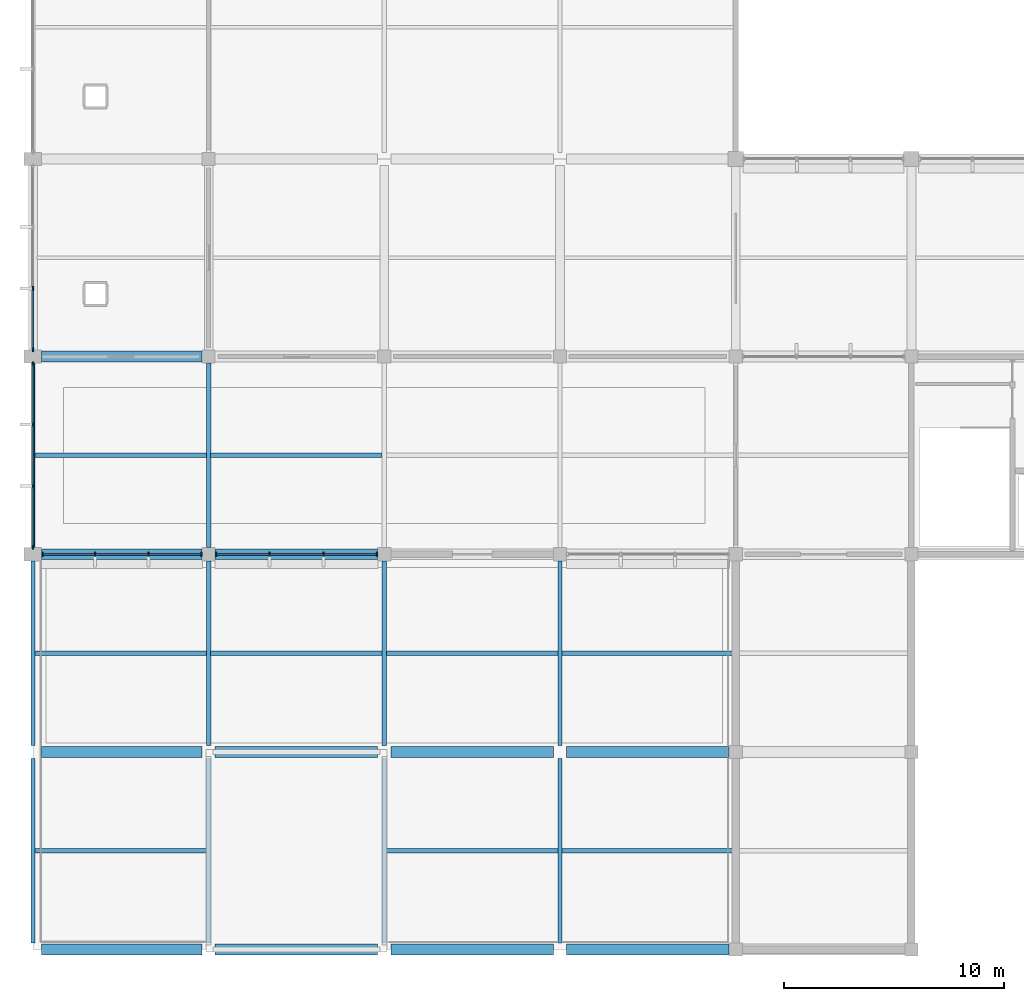
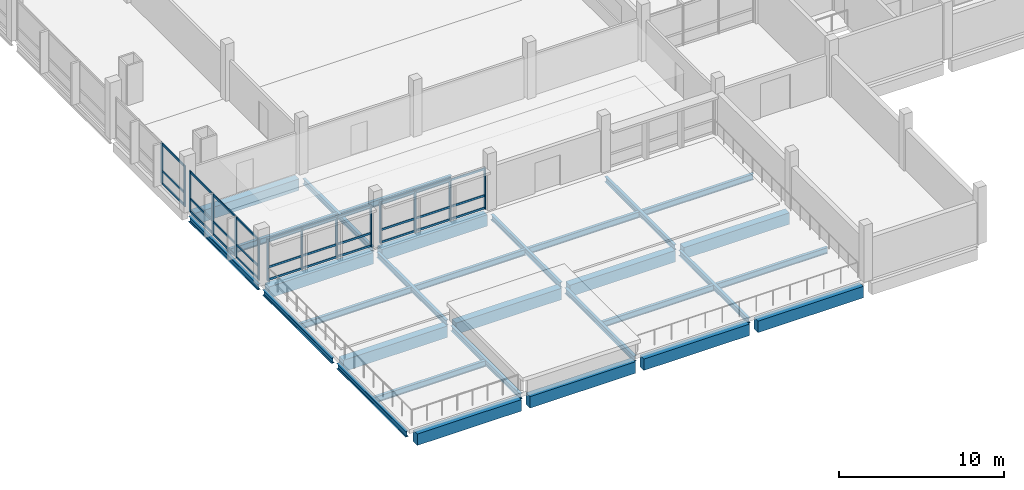
# One storey, part 3 of 70: 44 members, 30 beams, 4 elements without a shape of their own.
"""IFC4 building model written with IfcOpenShell, lengths in metres."""

import ifcopenshell
import ifcopenshell.guid

model = None  # the IFC model being written
_history = None  # IfcOwnerHistory: only IFC2X3 demands one
_inside = {}  # id of a spatial element -> (the spatial element, [elements in it])
_under = {}  # id of a project, library or spatial element -> (it, [spatial elements below it])
_declared = {}  # id of a project -> (the project, [libraries it declares])
_typed = {}  # id of a type object -> (the type object, [elements of that type])
_made_of = {}  # id of a material, layer set ... -> (it, [elements and type objects made of it])


def new_model(schema):
    """Start an empty IFC model of exactly this schema.

    Asked for "IFC4X3", IfcOpenShell would pick the latest addendum, in which some entities
    have other attributes; the version numbers below select the first issue.
    IFC2X3 requires an IfcOwnerHistory on every rooted entity: one is made here for all.
    """
    global model, _history
    if schema == "IFC4X3":
        model = ifcopenshell.file(schema_version=(4, 3, 0, 0))
    else:
        model = ifcopenshell.file(schema=schema)
    _inside.clear()
    _under.clear()
    _declared.clear()
    _typed.clear()
    _made_of.clear()
    _history = None
    if model.schema == "IFC2X3":
        org = make("IfcOrganization", Name="unknown")
        user = make(
            "IfcPersonAndOrganization",
            ThePerson=make("IfcPerson", FamilyName="unknown"),
            TheOrganization=org,
        )
        app = make(
            "IfcApplication",
            ApplicationDeveloper=org,
            Version="unknown",
            ApplicationFullName="unknown",
            ApplicationIdentifier="unknown",
        )
        _history = make(
            "IfcOwnerHistory",
            OwningUser=user,
            OwningApplication=app,
            ChangeAction="ADDED",
            CreationDate=0,
        )
    return model


def make(cls, **values):
    """One entity of the class cls with the attributes given. An attribute that is None is left unset."""
    return model.create_entity(
        cls, **{name: value for name, value in values.items() if value is not None}
    )


def rooted(cls, **values):
    """An entity with a GlobalId (a new one), such as an element, a storey or a relation."""
    return make(cls, GlobalId=ifcopenshell.guid.new(), OwnerHistory=_history, **values)


def si_unit(unit_type, name, prefix=None):
    """IfcSIUnit, for example si_unit("LENGTHUNIT", "METRE", prefix="MILLI")."""
    return make("IfcSIUnit", UnitType=unit_type, Prefix=prefix, Name=name)


def assignment(units):
    """IfcUnitAssignment: the units of a project."""
    return None if units is None else make("IfcUnitAssignment", Units=units)


def point(xyz):
    """IfcCartesianPoint."""
    return None if xyz is None else make("IfcCartesianPoint", Coordinates=xyz)


def direction(xyz):
    """IfcDirection."""
    return None if xyz is None else make("IfcDirection", DirectionRatios=xyz)


def frame(location, z_axis=None, x_axis=None):
    """IfcAxis2Placement3D, a coordinate frame: its origin and axes. An axis left out is left unset."""
    return make(
        "IfcAxis2Placement3D",
        Location=point(location),
        Axis=direction(z_axis),
        RefDirection=direction(x_axis),
    )


def frame_2d(location, x_axis=None):
    """IfcAxis2Placement2D, a coordinate frame in the plane: its origin and x axis."""
    return make(
        "IfcAxis2Placement2D", Location=point(location), RefDirection=direction(x_axis)
    )


def origin():
    """The frame at (0, 0, 0) with its axes left unset."""
    return frame((0.0, 0.0, 0.0))


def origin_2d():
    """The frame at (0, 0) in the plane with its x axis left unset."""
    return frame_2d((0.0, 0.0))


def place(relative_to, where):
    """IfcLocalPlacement: puts the frame where relative to a parent placement (None: the world)."""
    return make(
        "IfcLocalPlacement", PlacementRelTo=relative_to, RelativePlacement=where
    )


def context(
    kind, dimensions, precision=None, world=None, true_north=None, identifier=None
):
    """IfcGeometricRepresentationContext, for example the 3D "Model" context."""
    return make(
        "IfcGeometricRepresentationContext",
        ContextIdentifier=identifier,
        ContextType=kind,
        CoordinateSpaceDimension=dimensions,
        Precision=precision,
        WorldCoordinateSystem=world,
        TrueNorth=true_north,
    )


def subcontext(parent, identifier, kind, view, scale=None):
    """IfcGeometricRepresentationSubContext, for example "Body" below "Model"."""
    return make(
        "IfcGeometricRepresentationSubContext",
        ContextIdentifier=identifier,
        ContextType=kind,
        ParentContext=parent,
        TargetScale=scale,
        TargetView=view,
    )


def project(units=None, contexts=None):
    """IfcProject with its units and contexts."""
    return rooted(
        "IfcProject",
        Name="project",
        RepresentationContexts=contexts,
        UnitsInContext=assignment(units),
    )


def spatial(cls, under=None, at=None, **own):
    """A site, building, storey or space (cls), placed at a placement, below another one or the project."""
    s = rooted(cls, ObjectPlacement=at, **own)
    if under is not None:
        _under.setdefault(under.id(), (under, []))[1].append(s)
    return s


def profile(cls, at=None, kind="AREA", **sizes):
    """A parametric profile (cls). Its sizes go by their IFC names, for example OverallWidth=200.0."""
    return make(cls, ProfileType=kind, Position=at, **sizes)


def rectangle(**sizes):
    """IfcRectangleProfileDef."""
    return profile("IfcRectangleProfileDef", **sizes)


def i_section(**sizes):
    """IfcIShapeProfileDef."""
    return profile("IfcIShapeProfileDef", **sizes)


def extrude(swept, where, along, depth):
    """IfcExtrudedAreaSolid: the profile swept, set in the frame where, extruded along a direction by depth."""
    return make(
        "IfcExtrudedAreaSolid",
        SweptArea=swept,
        Position=where,
        ExtrudedDirection=direction(along),
        Depth=depth,
    )


def shape(context_of_items, identifier, shape_type, items):
    """IfcShapeRepresentation: the items that make up one representation, for example the "Body"."""
    return make(
        "IfcShapeRepresentation",
        ContextOfItems=context_of_items,
        RepresentationIdentifier=identifier,
        RepresentationType=shape_type,
        Items=items,
    )


def material(Name=None, Category=None):
    """IfcMaterial."""
    return make("IfcMaterial", Name=Name, Category=Category)


def material_profile(
    of_material, cross_section, Name=None, Category=None, Priority=None
):
    """IfcMaterialProfile: a cross section and its material."""
    return make(
        "IfcMaterialProfile",
        Name=Name,
        Material=of_material,
        Profile=cross_section,
        Priority=Priority,
        Category=Category,
    )


def profile_set(profiles, Name=None, composite=None):
    """IfcMaterialProfileSet."""
    return make(
        "IfcMaterialProfileSet",
        Name=Name,
        MaterialProfiles=profiles,
        CompositeProfile=composite,
    )


def made_of(thing, what):
    """Note that an element or type object is made of a material, layer set ...; save() writes the relation."""
    if what is not None:
        _made_of.setdefault(what.id(), (what, []))[1].append(thing)
    return thing


def type_object(cls, material=None, **own):
    """A type object (cls), such as IfcWallType, which elements share."""
    return made_of(rooted(cls, **own), material)


def element(
    cls,
    number,
    at=None,
    inside=None,
    cuts=None,
    type_object=None,
    material=None,
    context=None,
    identifier="Body",
    shape_type=None,
    held_by="IfcProductDefinitionShape",
    body=None,
    shapes=None,
    **own,
):
    """One element of the class cls, such as IfcWall. Its Tag is "e" and its number.

    at: its placement. inside: the storey or other place that contains it. cuts: it is an
    opening in that element (IfcRelVoidsElement). A single representation is given by context,
    identifier, shape_type and body (its items); several are given by shapes. held_by: the class
    of the entity that holds the representations. save() writes the other relations.
    """
    e = rooted(cls, Tag="e%d" % number, ObjectPlacement=at, **own)
    if body is not None:
        shapes = [shape(context, identifier, shape_type, body)]
    if shapes is not None:
        e.Representation = make(held_by, Representations=shapes)
    if inside is not None:
        _inside.setdefault(inside.id(), (inside, []))[1].append(e)
    if cuts is not None:
        rooted(
            "IfcRelVoidsElement", RelatingBuildingElement=cuts, RelatedOpeningElement=e
        )
    if type_object is not None:
        _typed.setdefault(type_object.id(), (type_object, []))[1].append(e)
    return made_of(e, material)


def aggregate(whole, parts):
    """IfcRelAggregates: a whole, such as a stair, and the parts it consists of."""
    return rooted("IfcRelAggregates", RelatingObject=whole, RelatedObjects=parts)


def save(model, path):
    """Write the relations noted so far, then the file.

    IfcRelAggregates (storeys below a building ...), IfcRelContainedInSpatialStructure (elements
    in a storey), IfcRelDefinesByType, IfcRelAssociatesMaterial and IfcRelDeclares: one each for
    every whole, place, type object, material and project.
    """
    for whole, parts in _under.values():
        aggregate(whole, parts)
    for where, things in _inside.values():
        rooted(
            "IfcRelContainedInSpatialStructure",
            RelatedElements=things,
            RelatingStructure=where,
        )
    for kind, things in _typed.values():
        rooted("IfcRelDefinesByType", RelatedObjects=things, RelatingType=kind)
    for what, things in _made_of.values():
        rooted("IfcRelAssociatesMaterial", RelatedObjects=things, RelatingMaterial=what)
    for by, libraries in _declared.values():
        rooted("IfcRelDeclares", RelatingContext=by, RelatedDefinitions=libraries)
    model.write(path)


model = new_model("IFC4")

# Units and contexts
model_context = context("Model", 3, precision=1e-05, world=origin(), true_north=direction((0.0, 1.0)))
body_context = subcontext(model_context, "Body", "Model", "MODEL_VIEW")
ifc_project = project(units=[si_unit("LENGTHUNIT", "METRE"), si_unit("AREAUNIT", "SQUARE_METRE"), si_unit("VOLUMEUNIT", "CUBIC_METRE"), si_unit("PLANEANGLEUNIT", "RADIAN"), si_unit("MASSUNIT", "GRAM", prefix="KILO"), si_unit("THERMODYNAMICTEMPERATUREUNIT", "KELVIN"), si_unit("POWERUNIT", "WATT")], contexts=[model_context])

# Site, building, storey
site_placement = place(None, origin())
site = spatial("IfcSite", under=ifc_project, at=site_placement, CompositionType="ELEMENT")
building_placement = place(site_placement, origin())
building = spatial("IfcBuilding", under=site, at=building_placement, Name="Kronsvod Quay Wholesale Market", CompositionType="ELEMENT")
storey_placement = place(building_placement, frame((0.0, 0.0, 9.0)))
storey = spatial("IfcBuildingStorey", under=building, at=storey_placement, Name="L02", CompositionType="ELEMENT", Elevation=9.0)

# Beams
ifc_material_1 = material(Name="Steel S355", Category="steel")
ifc_material_profile_1 = material_profile(ifc_material_1, i_section(OverallWidth=0.199951171875, OverallDepth=0.39990234375, WebThickness=0.008056640625, FlangeThickness=0.012939453125, FilletRadius=0.01611328125, at=origin_2d()), Name="40B2")
ifc_profile_set_1 = profile_set([ifc_material_profile_1], Name="Steel S355")
beam_type_1 = type_object("IfcBeamType", Name="Beam_Steel40B2", PredefinedType="BEAM", material=ifc_profile_set_1)
for number, where, z_axis, x_axis, name in (
    (1, (0.0, 18.300048828125, -0.510009765625), (0.0, 1.0, 0.0), (-1.0, 0.0, 0.0), "BMY-L02-0-180"),
    (2, (0.0, 27.300048828125, -0.510009765625), (0.0, 1.0, 0.0), (-1.0, 0.0, 0.0), "BMY-L02-0-270"),
    (3, (0.0, 36.300048828125, -0.510009765625), (0.0, 1.0, 0.0), (-1.0, 0.0, 0.0), "BMY-L02-0-360"),
    (4, (8.0, 18.300048828125, -0.510009765625), (0.0, 1.0, 0.0), (-1.0, 0.0, 0.0), "BMY-L02-80-180"),
    (5, (8.0, 27.300048828125, -0.510009765625), (0.0, 1.0, 0.0), (-1.0, 0.0, 0.0), "BMY-L02-80-270"),
    (6, (8.0, 36.300048828125, -0.510009765625), (0.0, 1.0, 0.0), (-1.0, 0.0, 0.0), "BMY-L02-80-360"),
    (7, (16.0, 18.300048828125, -0.510009765625), (0.0, 1.0, 0.0), (-1.0, 0.0, 0.0), "BMY-L02-160-180"),
    (8, (16.0, 27.300048828125, -0.510009765625), (0.0, 1.0, 0.0), (-1.0, 0.0, 0.0), "BMY-L02-160-270"),
    (9, (24.0, 18.300048828125, -0.510009765625), (0.0, 1.0, 0.0), (-1.0, 0.0, 0.0), "BMY-L02-240-180"),
    (10, (24.0, 27.300048828125, -0.510009765625), (0.0, 1.0, 0.0), (-1.0, 0.0, 0.0), "BMY-L02-240-270"),
):
    element("IfcBeam", number, at=place(storey_placement, frame(where, z_axis=z_axis, x_axis=x_axis)), inside=storey, type_object=beam_type_1, Name=name, PredefinedType="BEAM", context=body_context, shape_type="SweptSolid", body=[
        extrude(i_section(OverallWidth=0.199951171875, OverallDepth=0.39990234375, WebThickness=0.008056640625, FlangeThickness=0.012939453125, FilletRadius=0.01611328125, at=origin_2d()), origin(), (0.0, 0.0, 1.0), 8.39990234375),
    ])
ifc_material_2 = material(Name="Steel S355", Category="steel")
ifc_material_profile_2 = material_profile(ifc_material_2, i_section(OverallWidth=0.198974609375, OverallDepth=0.446044921875, WebThickness=0.008056640625, FlangeThickness=0.011962890625, FilletRadius=0.01806640625, at=origin_2d()), Name="45B1")
ifc_profile_set_2 = profile_set([ifc_material_profile_2], Name="Steel S355")
beam_type_2 = type_object("IfcBeamType", Name="Beam_Steel45B1", PredefinedType="BEAM", material=ifc_profile_set_2)
for number, where, z_axis, x_axis, name in (
    (11, (0.094970703125, 22.5, -0.532958984375), (1.0, 0.0, 0.0), (0.0, 1.0, 0.0), "JSTX-L02-0-180"),
    (12, (0.094970703125, 31.5, -0.532958984375), (1.0, 0.0, 0.0), (0.0, 1.0, 0.0), "JSTX-L02-0-270"),
    (13, (8.094970703125, 31.5, -0.532958984375), (1.0, 0.0, 0.0), (0.0, 1.0, 0.0), "JSTX-L02-80-270"),
    (14, (16.094970703125, 22.5, -0.532958984375), (1.0, 0.0, 0.0), (0.0, 1.0, 0.0), "JSTX-L02-160-180"),
    (15, (16.094970703125, 31.5, -0.532958984375), (1.0, 0.0, 0.0), (0.0, 1.0, 0.0), "JSTX-L02-160-270"),
    (16, (24.094970703125, 22.5, -0.532958984375), (1.0, 0.0, 0.0), (0.0, 1.0, 0.0), "JSTX-L02-240-180"),
    (17, (24.094970703125, 31.5, -0.532958984375), (1.0, 0.0, 0.0), (0.0, 1.0, 0.0), "JSTX-L02-240-270"),
):
    element("IfcBeam", number, at=place(storey_placement, frame(where, z_axis=z_axis, x_axis=x_axis)), inside=storey, type_object=beam_type_2, Name=name, PredefinedType="BEAM", context=body_context, shape_type="SweptSolid", body=[
        extrude(i_section(OverallWidth=0.198974609375, OverallDepth=0.446044921875, WebThickness=0.008056640625, FlangeThickness=0.011962890625, FilletRadius=0.01806640625, at=origin_2d()), origin(), (0.0, 0.0, 1.0), 7.81005859375),
    ])
ifc_material_3 = material(Name="Steel S355", Category="steel")
ifc_material_profile_3 = material_profile(ifc_material_3, i_section(OverallWidth=0.199951171875, OverallDepth=0.449951171875, WebThickness=0.009033203125, FlangeThickness=0.013916015625, FilletRadius=0.01806640625, at=origin_2d()), Name="45B2")
ifc_profile_set_3 = profile_set([ifc_material_profile_3], Name="Steel S355")
beam_type_3 = type_object("IfcBeamType", Name="Beam_Steel45B2", PredefinedType="BEAM", material=ifc_profile_set_3)
for number, where, z_axis, x_axis, name in (
    (18, (0.094970703125, 40.5, -0.52490234375), (1.0, 0.0, 0.0), (0.0, 1.0, 0.0), "JSTX-L02-0-360"),
    (19, (8.094970703125, 40.5, -0.52490234375), (1.0, 0.0, 0.0), (0.0, 1.0, 0.0), "JSTX-L02-80-360"),
):
    element("IfcBeam", number, at=place(storey_placement, frame(where, z_axis=z_axis, x_axis=x_axis)), inside=storey, type_object=beam_type_3, Name=name, PredefinedType="BEAM", context=body_context, shape_type="SweptSolid", body=[
        extrude(i_section(OverallWidth=0.199951171875, OverallDepth=0.449951171875, WebThickness=0.009033203125, FlangeThickness=0.013916015625, FilletRadius=0.01806640625, at=origin_2d()), origin(), (0.0, 0.0, 1.0), 7.81005859375),
    ])
ifc_material_4 = material(Name="Precast concrete C40/50", Category="concrete")
ifc_material_profile_4 = material_profile(ifc_material_4, rectangle(XDim=0.5, YDim=0.85009765625, at=origin_2d()), Name="PCB500x850")
ifc_profile_set_4 = profile_set([ifc_material_profile_4], Name="Precast concrete C40/50")
beam_type_4 = type_object("IfcBeamType", Name="Girder_PCB500x850", PredefinedType="T_BEAM", material=ifc_profile_set_4)
beam_1_placement = place(storey_placement, frame((0.39990234375, 18.0, -0.735107421875), z_axis=(1.0, 0.0, 0.0), x_axis=(0.0, 1.0, 0.0)))
element("IfcBeam", 20, at=beam_1_placement, inside=storey, type_object=beam_type_4, Name="BMX-L02-0-180", PredefinedType="T_BEAM", context=body_context, shape_type="SweptSolid", body=[
    extrude(rectangle(XDim=0.5, YDim=0.85009765625, at=origin_2d()), origin(), (0.0, 0.0, 1.0), 7.300048828125),
])
for number, where, z_axis, x_axis, name in (
    (21, (8.300048828125, 18.0, -0.735107421875), (1.0, 0.0, 0.0), (0.0, 1.0, 0.0), "BMX-L02-80-180"),
    (22, (16.300048828125, 18.0, -0.735107421875), (1.0, 0.0, 0.0), (0.0, 1.0, 0.0), "BMX-L02-160-180"),
    (23, (24.300048828125, 18.0, -0.735107421875), (1.0, 0.0, 0.0), (0.0, 1.0, 0.0), "BMX-L02-240-180"),
):
    element("IfcBeam", number, at=place(storey_placement, frame(where, z_axis=z_axis, x_axis=x_axis)), inside=storey, type_object=beam_type_4, Name=name, PredefinedType="T_BEAM", context=body_context, shape_type="SweptSolid", body=[
        extrude(rectangle(XDim=0.5, YDim=0.85009765625, at=origin_2d()), origin(), (0.0, 0.0, 1.0), 7.39990234375),
    ])
beam_2_placement = place(storey_placement, frame((0.39990234375, 27.0, -0.735107421875), z_axis=(1.0, 0.0, 0.0), x_axis=(0.0, 1.0, 0.0)))
element("IfcBeam", 24, at=beam_2_placement, inside=storey, type_object=beam_type_4, Name="BMX-L02-0-270", PredefinedType="T_BEAM", context=body_context, shape_type="SweptSolid", body=[
    extrude(rectangle(XDim=0.5, YDim=0.85009765625, at=origin_2d()), origin(), (0.0, 0.0, 1.0), 7.300048828125),
])
for number, where, z_axis, x_axis, name in (
    (25, (8.300048828125, 27.0, -0.735107421875), (1.0, 0.0, 0.0), (0.0, 1.0, 0.0), "BMX-L02-80-270"),
    (26, (16.300048828125, 27.0, -0.735107421875), (1.0, 0.0, 0.0), (0.0, 1.0, 0.0), "BMX-L02-160-270"),
    (27, (24.300048828125, 27.0, -0.735107421875), (1.0, 0.0, 0.0), (0.0, 1.0, 0.0), "BMX-L02-240-270"),
):
    element("IfcBeam", number, at=place(storey_placement, frame(where, z_axis=z_axis, x_axis=x_axis)), inside=storey, type_object=beam_type_4, Name=name, PredefinedType="T_BEAM", context=body_context, shape_type="SweptSolid", body=[
        extrude(rectangle(XDim=0.5, YDim=0.85009765625, at=origin_2d()), origin(), (0.0, 0.0, 1.0), 7.39990234375),
    ])
beam_3_placement = place(storey_placement, frame((0.39990234375, 36.0, -0.735107421875), z_axis=(1.0, 0.0, 0.0), x_axis=(0.0, 1.0, 0.0)))
element("IfcBeam", 28, at=beam_3_placement, inside=storey, type_object=beam_type_4, Name="BMX-L02-0-360", PredefinedType="T_BEAM", context=body_context, shape_type="SweptSolid", body=[
    extrude(rectangle(XDim=0.5, YDim=0.85009765625, at=origin_2d()), origin(), (0.0, 0.0, 1.0), 7.300048828125),
])
beam_4_placement = place(storey_placement, frame((8.300048828125, 36.0, -0.735107421875), z_axis=(1.0, 0.0, 0.0), x_axis=(0.0, 1.0, 0.0)))
element("IfcBeam", 29, at=beam_4_placement, inside=storey, type_object=beam_type_4, Name="BMX-L02-80-360", PredefinedType="T_BEAM", context=body_context, shape_type="SweptSolid", body=[
    extrude(rectangle(XDim=0.5, YDim=0.85009765625, at=origin_2d()), origin(), (0.0, 0.0, 1.0), 7.39990234375),
])
beam_5_placement = place(storey_placement, frame((0.39990234375, 45.0, -0.735107421875), z_axis=(1.0, 0.0, 0.0), x_axis=(0.0, 1.0, 0.0)))
element("IfcBeam", 30, at=beam_5_placement, inside=storey, type_object=beam_type_4, Name="BMX-L02-0-450", PredefinedType="T_BEAM", context=body_context, shape_type="SweptSolid", body=[
    extrude(rectangle(XDim=0.5, YDim=0.85009765625, at=origin_2d()), origin(), (0.0, 0.0, 1.0), 7.300048828125),
])

# Curtain wall, members
ifc_material_5 = material(Name="Thermally broken aluminium and triple low-E glazing", Category="aluminium")
curtain_wall_type_1 = type_object("IfcCurtainWallType", Name="CW_Harbour80x33", PredefinedType="NOTDEFINED", material=ifc_material_5)
curtain_wall_1_placement = place(storey_placement, origin())
curtain_wall_1 = element("IfcCurtainWall", 31, at=curtain_wall_1_placement, inside=storey, type_object=curtain_wall_type_1, Name="CWGX-L02-0-360", PredefinedType="NOTDEFINED")
ifc_material_6 = material(Name="Anodised aluminium", Category="aluminium")
ifc_material_profile_5 = material_profile(ifc_material_6, rectangle(XDim=0.074951171875, YDim=0.199951171875, at=origin_2d()), Name="ALUM75x200")
ifc_profile_set_5 = profile_set([ifc_material_profile_5], Name="Anodised aluminium")
member_type_1 = type_object("IfcMemberType", Name="Mullion_ALU75x200", PredefinedType="MULLION", material=ifc_profile_set_5)
member_1_placement = place(storey_placement, frame((0.4326171875, 36.0, 0.0), z_axis=(0.0, 0.0, 1.0), x_axis=(1.0, 0.0, 0.0)))
member_1 = element("IfcMember", 32, at=member_1_placement, type_object=member_type_1, Name="CWGX-L02-0-360-M1", PredefinedType="MULLION", context=body_context, shape_type="SweptSolid", body=[
    extrude(rectangle(XDim=0.074951171875, YDim=0.199951171875, at=origin_2d()), origin(), (0.0, 0.0, 1.0), 3.050048828125),
])
member_2_placement = place(storey_placement, frame((2.831787109375, 36.0, 0.0), z_axis=(0.0, 0.0, 1.0), x_axis=(1.0, 0.0, 0.0)))
member_2 = element("IfcMember", 33, at=member_2_placement, type_object=member_type_1, Name="CWGX-L02-0-360-M2", PredefinedType="MULLION", context=body_context, shape_type="SweptSolid", body=[
    extrude(rectangle(XDim=0.074951171875, YDim=0.199951171875, at=origin_2d()), origin(), (0.0, 0.0, 1.0), 3.050048828125),
])
member_3_placement = place(storey_placement, frame((5.268310546875, 36.0, 0.0), z_axis=(0.0, 0.0, 1.0), x_axis=(1.0, 0.0, 0.0)))
member_3 = element("IfcMember", 34, at=member_3_placement, type_object=member_type_1, Name="CWGX-L02-0-360-M3", PredefinedType="MULLION", context=body_context, shape_type="SweptSolid", body=[
    extrude(rectangle(XDim=0.074951171875, YDim=0.199951171875, at=origin_2d()), origin(), (0.0, 0.0, 1.0), 3.050048828125),
])
member_4_placement = place(storey_placement, frame((7.66748046875, 36.0, 0.0), z_axis=(0.0, 0.0, 1.0), x_axis=(1.0, 0.0, 0.0)))
member_4 = element("IfcMember", 35, at=member_4_placement, type_object=member_type_1, Name="CWGX-L02-0-360-M4", PredefinedType="MULLION", context=body_context, shape_type="SweptSolid", body=[
    extrude(rectangle(XDim=0.074951171875, YDim=0.199951171875, at=origin_2d()), origin(), (0.0, 0.0, 1.0), 3.050048828125),
])

curtain_wall_2_placement = place(storey_placement, origin())
curtain_wall_2 = element("IfcCurtainWall", 36, at=curtain_wall_2_placement, inside=storey, type_object=curtain_wall_type_1, Name="CWGX-L02-80-360", PredefinedType="NOTDEFINED")
member_5_placement = place(storey_placement, frame((8.33251953125, 36.0, 0.0), z_axis=(0.0, 0.0, 1.0), x_axis=(1.0, 0.0, 0.0)))
member_5 = element("IfcMember", 37, at=member_5_placement, type_object=member_type_1, Name="CWGX-L02-80-360-M1", PredefinedType="MULLION", context=body_context, shape_type="SweptSolid", body=[
    extrude(rectangle(XDim=0.074951171875, YDim=0.199951171875, at=origin_2d()), origin(), (0.0, 0.0, 1.0), 3.050048828125),
])
member_6_placement = place(storey_placement, frame((10.764892578125, 36.0, 0.0), z_axis=(0.0, 0.0, 1.0), x_axis=(1.0, 0.0, 0.0)))
member_6 = element("IfcMember", 38, at=member_6_placement, type_object=member_type_1, Name="CWGX-L02-80-360-M2", PredefinedType="MULLION", context=body_context, shape_type="SweptSolid", body=[
    extrude(rectangle(XDim=0.074951171875, YDim=0.199951171875, at=origin_2d()), origin(), (0.0, 0.0, 1.0), 3.050048828125),
])
member_7_placement = place(storey_placement, frame((13.235107421875, 36.0, 0.0), z_axis=(0.0, 0.0, 1.0), x_axis=(1.0, 0.0, 0.0)))
member_7 = element("IfcMember", 39, at=member_7_placement, type_object=member_type_1, Name="CWGX-L02-80-360-M3", PredefinedType="MULLION", context=body_context, shape_type="SweptSolid", body=[
    extrude(rectangle(XDim=0.074951171875, YDim=0.199951171875, at=origin_2d()), origin(), (0.0, 0.0, 1.0), 3.050048828125),
])
member_8_placement = place(storey_placement, frame((15.66748046875, 36.0, 0.0), z_axis=(0.0, 0.0, 1.0), x_axis=(1.0, 0.0, 0.0)))
member_8 = element("IfcMember", 40, at=member_8_placement, type_object=member_type_1, Name="CWGX-L02-80-360-M4", PredefinedType="MULLION", context=body_context, shape_type="SweptSolid", body=[
    extrude(rectangle(XDim=0.074951171875, YDim=0.199951171875, at=origin_2d()), origin(), (0.0, 0.0, 1.0), 3.050048828125),
])

ifc_material_7 = material(Name="Thermally broken aluminium and triple low-E glazing", Category="aluminium")
curtain_wall_type_2 = type_object("IfcCurtainWallType", Name="CW_Wing90x33", PredefinedType="NOTDEFINED", material=ifc_material_7)
curtain_wall_3_placement = place(storey_placement, origin())
curtain_wall_3 = element("IfcCurtainWall", 41, at=curtain_wall_3_placement, inside=storey, type_object=curtain_wall_type_2, Name="CWGY-L02-0-360", PredefinedType="NOTDEFINED")
member_9_placement = place(storey_placement, frame((0.0, 44.66748046875, 0.0), z_axis=(0.0, 0.0, 1.0), x_axis=(1.0, 0.0, 0.0)))
member_9 = element("IfcMember", 42, at=member_9_placement, type_object=member_type_1, Name="CWGY-L02-0-360-M1", PredefinedType="MULLION", context=body_context, shape_type="SweptSolid", body=[
    extrude(rectangle(XDim=0.074951171875, YDim=0.199951171875, at=origin_2d()), origin(), (0.0, 0.0, 1.0), 3.050048828125),
])
member_10_placement = place(storey_placement, frame((0.0, 41.901611328125, 0.0), z_axis=(0.0, 0.0, 1.0), x_axis=(1.0, 0.0, 0.0)))
member_10 = element("IfcMember", 43, at=member_10_placement, type_object=member_type_1, Name="CWGY-L02-0-360-M2", PredefinedType="MULLION", context=body_context, shape_type="SweptSolid", body=[
    extrude(rectangle(XDim=0.074951171875, YDim=0.199951171875, at=origin_2d()), origin(), (0.0, 0.0, 1.0), 3.050048828125),
])
member_11_placement = place(storey_placement, frame((0.0, 39.098388671875, 0.0), z_axis=(0.0, 0.0, 1.0), x_axis=(1.0, 0.0, 0.0)))
member_11 = element("IfcMember", 44, at=member_11_placement, type_object=member_type_1, Name="CWGY-L02-0-360-M3", PredefinedType="MULLION", context=body_context, shape_type="SweptSolid", body=[
    extrude(rectangle(XDim=0.074951171875, YDim=0.199951171875, at=origin_2d()), origin(), (0.0, 0.0, 1.0), 3.050048828125),
])
member_12_placement = place(storey_placement, frame((0.0, 36.33251953125, 0.0), z_axis=(0.0, 0.0, 1.0), x_axis=(1.0, 0.0, 0.0)))
member_12 = element("IfcMember", 45, at=member_12_placement, type_object=member_type_1, Name="CWGY-L02-0-360-M4", PredefinedType="MULLION", context=body_context, shape_type="SweptSolid", body=[
    extrude(rectangle(XDim=0.074951171875, YDim=0.199951171875, at=origin_2d()), origin(), (0.0, 0.0, 1.0), 3.050048828125),
])

curtain_wall_4_placement = place(storey_placement, origin())
curtain_wall_4 = element("IfcCurtainWall", 46, at=curtain_wall_4_placement, inside=storey, type_object=curtain_wall_type_2, Name="CWGY-L02-0-450", PredefinedType="NOTDEFINED")
member_13_placement = place(storey_placement, frame((0.0, 48.098388671875, 0.0), z_axis=(0.0, 0.0, 1.0), x_axis=(1.0, 0.0, 0.0)))
member_13 = element("IfcMember", 47, at=member_13_placement, type_object=member_type_1, Name="CWGY-L02-0-450-M3", PredefinedType="MULLION", context=body_context, shape_type="SweptSolid", body=[
    extrude(rectangle(XDim=0.074951171875, YDim=0.199951171875, at=origin_2d()), origin(), (0.0, 0.0, 1.0), 3.050048828125),
])
member_14_placement = place(storey_placement, frame((0.0, 45.33251953125, 0.0), z_axis=(0.0, 0.0, 1.0), x_axis=(1.0, 0.0, 0.0)))
member_14 = element("IfcMember", 48, at=member_14_placement, type_object=member_type_1, Name="CWGY-L02-0-450-M4", PredefinedType="MULLION", context=body_context, shape_type="SweptSolid", body=[
    extrude(rectangle(XDim=0.074951171875, YDim=0.199951171875, at=origin_2d()), origin(), (0.0, 0.0, 1.0), 3.050048828125),
])

# Member
ifc_material_8 = material(Name="Anodised aluminium", Category="aluminium")
ifc_material_profile_6 = material_profile(ifc_material_8, rectangle(XDim=0.074951171875, YDim=0.14990234375, at=origin_2d()), Name="ALUT75x150")
ifc_profile_set_6 = profile_set([ifc_material_profile_6], Name="Anodised aluminium")
member_type_2 = type_object("IfcMemberType", Name="Transom_ALU75x150", PredefinedType="USERDEFINED", material=ifc_profile_set_6)
member_15_placement = place(storey_placement, frame((0.469970703125, 36.0, 0.074951171875), z_axis=(1.0, 0.0, 0.0), x_axis=(0.0, 1.0, 0.0)))
member_15 = element("IfcMember", 49, at=member_15_placement, type_object=member_type_2, Name="CWGX-L02-0-360-T1B1", ObjectType="TRANSOM", PredefinedType="USERDEFINED", context=body_context, shape_type="SweptSolid", body=[
    extrude(rectangle(XDim=0.074951171875, YDim=0.14990234375, at=origin_2d()), origin(), (0.0, 0.0, 1.0), 2.32421875),
])

member_16_placement = place(storey_placement, frame((2.869140625, 36.0, 0.074951171875), z_axis=(1.0, 0.0, 0.0), x_axis=(0.0, 1.0, 0.0)))
member_16 = element("IfcMember", 50, at=member_16_placement, type_object=member_type_2, Name="CWGX-L02-0-360-T1B2", ObjectType="TRANSOM", PredefinedType="USERDEFINED", context=body_context, shape_type="SweptSolid", body=[
    extrude(rectangle(XDim=0.074951171875, YDim=0.14990234375, at=origin_2d()), origin(), (0.0, 0.0, 1.0), 2.361572265625),
])

member_17_placement = place(storey_placement, frame((5.305908203125, 36.0, 0.074951171875), z_axis=(1.0, 0.0, 0.0), x_axis=(0.0, 1.0, 0.0)))
member_17 = element("IfcMember", 51, at=member_17_placement, type_object=member_type_2, Name="CWGX-L02-0-360-T1B3", ObjectType="TRANSOM", PredefinedType="USERDEFINED", context=body_context, shape_type="SweptSolid", body=[
    extrude(rectangle(XDim=0.074951171875, YDim=0.14990234375, at=origin_2d()), origin(), (0.0, 0.0, 1.0), 2.323974609375),
])

member_18_placement = place(storey_placement, frame((0.469970703125, 36.0, 1.0), z_axis=(1.0, 0.0, 0.0), x_axis=(0.0, 1.0, 0.0)))
member_18 = element("IfcMember", 52, at=member_18_placement, type_object=member_type_2, Name="CWGX-L02-0-360-T2B1", ObjectType="TRANSOM", PredefinedType="USERDEFINED", context=body_context, shape_type="SweptSolid", body=[
    extrude(rectangle(XDim=0.074951171875, YDim=0.14990234375, at=origin_2d()), origin(), (0.0, 0.0, 1.0), 2.32421875),
])

member_19_placement = place(storey_placement, frame((2.869140625, 36.0, 1.0), z_axis=(1.0, 0.0, 0.0), x_axis=(0.0, 1.0, 0.0)))
member_19 = element("IfcMember", 53, at=member_19_placement, type_object=member_type_2, Name="CWGX-L02-0-360-T2B2", ObjectType="TRANSOM", PredefinedType="USERDEFINED", context=body_context, shape_type="SweptSolid", body=[
    extrude(rectangle(XDim=0.074951171875, YDim=0.14990234375, at=origin_2d()), origin(), (0.0, 0.0, 1.0), 2.361572265625),
])

member_20_placement = place(storey_placement, frame((5.305908203125, 36.0, 1.0), z_axis=(1.0, 0.0, 0.0), x_axis=(0.0, 1.0, 0.0)))
member_20 = element("IfcMember", 54, at=member_20_placement, type_object=member_type_2, Name="CWGX-L02-0-360-T2B3", ObjectType="TRANSOM", PredefinedType="USERDEFINED", context=body_context, shape_type="SweptSolid", body=[
    extrude(rectangle(XDim=0.074951171875, YDim=0.14990234375, at=origin_2d()), origin(), (0.0, 0.0, 1.0), 2.323974609375),
])

member_21_placement = place(storey_placement, frame((0.469970703125, 36.0, 2.97509765625), z_axis=(1.0, 0.0, 0.0), x_axis=(0.0, 1.0, 0.0)))
member_21 = element("IfcMember", 55, at=member_21_placement, type_object=member_type_2, Name="CWGX-L02-0-360-T3B1", ObjectType="TRANSOM", PredefinedType="USERDEFINED", context=body_context, shape_type="SweptSolid", body=[
    extrude(rectangle(XDim=0.074951171875, YDim=0.14990234375, at=origin_2d()), origin(), (0.0, 0.0, 1.0), 2.32421875),
])

member_22_placement = place(storey_placement, frame((2.869140625, 36.0, 2.97509765625), z_axis=(1.0, 0.0, 0.0), x_axis=(0.0, 1.0, 0.0)))
member_22 = element("IfcMember", 56, at=member_22_placement, type_object=member_type_2, Name="CWGX-L02-0-360-T3B2", ObjectType="TRANSOM", PredefinedType="USERDEFINED", context=body_context, shape_type="SweptSolid", body=[
    extrude(rectangle(XDim=0.074951171875, YDim=0.14990234375, at=origin_2d()), origin(), (0.0, 0.0, 1.0), 2.361572265625),
])

member_23_placement = place(storey_placement, frame((5.305908203125, 36.0, 2.97509765625), z_axis=(1.0, 0.0, 0.0), x_axis=(0.0, 1.0, 0.0)))
member_23 = element("IfcMember", 57, at=member_23_placement, type_object=member_type_2, Name="CWGX-L02-0-360-T3B3", ObjectType="TRANSOM", PredefinedType="USERDEFINED", context=body_context, shape_type="SweptSolid", body=[
    extrude(rectangle(XDim=0.074951171875, YDim=0.14990234375, at=origin_2d()), origin(), (0.0, 0.0, 1.0), 2.323974609375),
])

aggregate(curtain_wall_1, [member_1, member_2, member_3, member_4, member_15, member_16, member_17, member_18, member_19, member_20, member_21, member_22, member_23])

member_24_placement = place(storey_placement, frame((8.3701171875, 36.0, 0.074951171875), z_axis=(1.0, 0.0, 0.0), x_axis=(0.0, 1.0, 0.0)))
member_24 = element("IfcMember", 58, at=member_24_placement, type_object=member_type_2, Name="CWGX-L02-80-360-T1B1", ObjectType="TRANSOM", PredefinedType="USERDEFINED", context=body_context, shape_type="SweptSolid", body=[
    extrude(rectangle(XDim=0.074951171875, YDim=0.14990234375, at=origin_2d()), origin(), (0.0, 0.0, 1.0), 2.357421875),
])

member_25_placement = place(storey_placement, frame((10.802490234375, 36.0, 0.074951171875), z_axis=(1.0, 0.0, 0.0), x_axis=(0.0, 1.0, 0.0)))
member_25 = element("IfcMember", 59, at=member_25_placement, type_object=member_type_2, Name="CWGX-L02-80-360-T1B2", ObjectType="TRANSOM", PredefinedType="USERDEFINED", context=body_context, shape_type="SweptSolid", body=[
    extrude(rectangle(XDim=0.074951171875, YDim=0.14990234375, at=origin_2d()), origin(), (0.0, 0.0, 1.0), 2.39501953125),
])

member_26_placement = place(storey_placement, frame((13.2724609375, 36.0, 0.074951171875), z_axis=(1.0, 0.0, 0.0), x_axis=(0.0, 1.0, 0.0)))
member_26 = element("IfcMember", 60, at=member_26_placement, type_object=member_type_2, Name="CWGX-L02-80-360-T1B3", ObjectType="TRANSOM", PredefinedType="USERDEFINED", context=body_context, shape_type="SweptSolid", body=[
    extrude(rectangle(XDim=0.074951171875, YDim=0.14990234375, at=origin_2d()), origin(), (0.0, 0.0, 1.0), 2.357421875),
])

member_27_placement = place(storey_placement, frame((8.3701171875, 36.0, 1.0), z_axis=(1.0, 0.0, 0.0), x_axis=(0.0, 1.0, 0.0)))
member_27 = element("IfcMember", 61, at=member_27_placement, type_object=member_type_2, Name="CWGX-L02-80-360-T2B1", ObjectType="TRANSOM", PredefinedType="USERDEFINED", context=body_context, shape_type="SweptSolid", body=[
    extrude(rectangle(XDim=0.074951171875, YDim=0.14990234375, at=origin_2d()), origin(), (0.0, 0.0, 1.0), 2.357421875),
])

member_28_placement = place(storey_placement, frame((10.802490234375, 36.0, 1.0), z_axis=(1.0, 0.0, 0.0), x_axis=(0.0, 1.0, 0.0)))
member_28 = element("IfcMember", 62, at=member_28_placement, type_object=member_type_2, Name="CWGX-L02-80-360-T2B2", ObjectType="TRANSOM", PredefinedType="USERDEFINED", context=body_context, shape_type="SweptSolid", body=[
    extrude(rectangle(XDim=0.074951171875, YDim=0.14990234375, at=origin_2d()), origin(), (0.0, 0.0, 1.0), 2.39501953125),
])

member_29_placement = place(storey_placement, frame((13.2724609375, 36.0, 1.0), z_axis=(1.0, 0.0, 0.0), x_axis=(0.0, 1.0, 0.0)))
member_29 = element("IfcMember", 63, at=member_29_placement, type_object=member_type_2, Name="CWGX-L02-80-360-T2B3", ObjectType="TRANSOM", PredefinedType="USERDEFINED", context=body_context, shape_type="SweptSolid", body=[
    extrude(rectangle(XDim=0.074951171875, YDim=0.14990234375, at=origin_2d()), origin(), (0.0, 0.0, 1.0), 2.357421875),
])

member_30_placement = place(storey_placement, frame((8.3701171875, 36.0, 2.97509765625), z_axis=(1.0, 0.0, 0.0), x_axis=(0.0, 1.0, 0.0)))
member_30 = element("IfcMember", 64, at=member_30_placement, type_object=member_type_2, Name="CWGX-L02-80-360-T3B1", ObjectType="TRANSOM", PredefinedType="USERDEFINED", context=body_context, shape_type="SweptSolid", body=[
    extrude(rectangle(XDim=0.074951171875, YDim=0.14990234375, at=origin_2d()), origin(), (0.0, 0.0, 1.0), 2.357421875),
])

member_31_placement = place(storey_placement, frame((10.802490234375, 36.0, 2.97509765625), z_axis=(1.0, 0.0, 0.0), x_axis=(0.0, 1.0, 0.0)))
member_31 = element("IfcMember", 65, at=member_31_placement, type_object=member_type_2, Name="CWGX-L02-80-360-T3B2", ObjectType="TRANSOM", PredefinedType="USERDEFINED", context=body_context, shape_type="SweptSolid", body=[
    extrude(rectangle(XDim=0.074951171875, YDim=0.14990234375, at=origin_2d()), origin(), (0.0, 0.0, 1.0), 2.39501953125),
])

member_32_placement = place(storey_placement, frame((13.2724609375, 36.0, 2.97509765625), z_axis=(1.0, 0.0, 0.0), x_axis=(0.0, 1.0, 0.0)))
member_32 = element("IfcMember", 66, at=member_32_placement, type_object=member_type_2, Name="CWGX-L02-80-360-T3B3", ObjectType="TRANSOM", PredefinedType="USERDEFINED", context=body_context, shape_type="SweptSolid", body=[
    extrude(rectangle(XDim=0.074951171875, YDim=0.14990234375, at=origin_2d()), origin(), (0.0, 0.0, 1.0), 2.357421875),
])

aggregate(curtain_wall_2, [member_5, member_6, member_7, member_8, member_24, member_25, member_26, member_27, member_28, member_29, member_30, member_31, member_32])

member_33_placement = place(storey_placement, frame((0.0, 44.6298828125, 0.074951171875), z_axis=(0.0, -1.0, 0.0), x_axis=(1.0, 0.0, 0.0)))
member_33 = element("IfcMember", 67, at=member_33_placement, type_object=member_type_2, Name="CWGY-L02-0-360-T1B1", ObjectType="TRANSOM", PredefinedType="USERDEFINED", context=body_context, shape_type="SweptSolid", body=[
    extrude(rectangle(XDim=0.074951171875, YDim=0.14990234375, at=origin_2d()), origin(), (0.0, 0.0, 1.0), 2.690673828125),
])

member_34_placement = place(storey_placement, frame((0.0, 41.8642578125, 0.074951171875), z_axis=(0.0, -1.0, 0.0), x_axis=(1.0, 0.0, 0.0)))
member_34 = element("IfcMember", 68, at=member_34_placement, type_object=member_type_2, Name="CWGY-L02-0-360-T1B2", ObjectType="TRANSOM", PredefinedType="USERDEFINED", context=body_context, shape_type="SweptSolid", body=[
    extrude(rectangle(XDim=0.074951171875, YDim=0.14990234375, at=origin_2d()), origin(), (0.0, 0.0, 1.0), 2.728515625),
])

member_35_placement = place(storey_placement, frame((0.0, 39.060791015625, 0.074951171875), z_axis=(0.0, -1.0, 0.0), x_axis=(1.0, 0.0, 0.0)))
member_35 = element("IfcMember", 69, at=member_35_placement, type_object=member_type_2, Name="CWGY-L02-0-360-T1B3", ObjectType="TRANSOM", PredefinedType="USERDEFINED", context=body_context, shape_type="SweptSolid", body=[
    extrude(rectangle(XDim=0.074951171875, YDim=0.14990234375, at=origin_2d()), origin(), (0.0, 0.0, 1.0), 2.690673828125),
])

member_36_placement = place(storey_placement, frame((0.0, 44.6298828125, 1.0), z_axis=(0.0, -1.0, 0.0), x_axis=(1.0, 0.0, 0.0)))
member_36 = element("IfcMember", 70, at=member_36_placement, type_object=member_type_2, Name="CWGY-L02-0-360-T2B1", ObjectType="TRANSOM", PredefinedType="USERDEFINED", context=body_context, shape_type="SweptSolid", body=[
    extrude(rectangle(XDim=0.074951171875, YDim=0.14990234375, at=origin_2d()), origin(), (0.0, 0.0, 1.0), 2.690673828125),
])

member_37_placement = place(storey_placement, frame((0.0, 41.8642578125, 1.0), z_axis=(0.0, -1.0, 0.0), x_axis=(1.0, 0.0, 0.0)))
member_37 = element("IfcMember", 71, at=member_37_placement, type_object=member_type_2, Name="CWGY-L02-0-360-T2B2", ObjectType="TRANSOM", PredefinedType="USERDEFINED", context=body_context, shape_type="SweptSolid", body=[
    extrude(rectangle(XDim=0.074951171875, YDim=0.14990234375, at=origin_2d()), origin(), (0.0, 0.0, 1.0), 2.728515625),
])

member_38_placement = place(storey_placement, frame((0.0, 39.060791015625, 1.0), z_axis=(0.0, -1.0, 0.0), x_axis=(1.0, 0.0, 0.0)))
member_38 = element("IfcMember", 72, at=member_38_placement, type_object=member_type_2, Name="CWGY-L02-0-360-T2B3", ObjectType="TRANSOM", PredefinedType="USERDEFINED", context=body_context, shape_type="SweptSolid", body=[
    extrude(rectangle(XDim=0.074951171875, YDim=0.14990234375, at=origin_2d()), origin(), (0.0, 0.0, 1.0), 2.690673828125),
])

member_39_placement = place(storey_placement, frame((0.0, 44.6298828125, 2.97509765625), z_axis=(0.0, -1.0, 0.0), x_axis=(1.0, 0.0, 0.0)))
member_39 = element("IfcMember", 73, at=member_39_placement, type_object=member_type_2, Name="CWGY-L02-0-360-T3B1", ObjectType="TRANSOM", PredefinedType="USERDEFINED", context=body_context, shape_type="SweptSolid", body=[
    extrude(rectangle(XDim=0.074951171875, YDim=0.14990234375, at=origin_2d()), origin(), (0.0, 0.0, 1.0), 2.690673828125),
])

member_40_placement = place(storey_placement, frame((0.0, 41.8642578125, 2.97509765625), z_axis=(0.0, -1.0, 0.0), x_axis=(1.0, 0.0, 0.0)))
member_40 = element("IfcMember", 74, at=member_40_placement, type_object=member_type_2, Name="CWGY-L02-0-360-T3B2", ObjectType="TRANSOM", PredefinedType="USERDEFINED", context=body_context, shape_type="SweptSolid", body=[
    extrude(rectangle(XDim=0.074951171875, YDim=0.14990234375, at=origin_2d()), origin(), (0.0, 0.0, 1.0), 2.728515625),
])

member_41_placement = place(storey_placement, frame((0.0, 39.060791015625, 2.97509765625), z_axis=(0.0, -1.0, 0.0), x_axis=(1.0, 0.0, 0.0)))
member_41 = element("IfcMember", 75, at=member_41_placement, type_object=member_type_2, Name="CWGY-L02-0-360-T3B3", ObjectType="TRANSOM", PredefinedType="USERDEFINED", context=body_context, shape_type="SweptSolid", body=[
    extrude(rectangle(XDim=0.074951171875, YDim=0.14990234375, at=origin_2d()), origin(), (0.0, 0.0, 1.0), 2.690673828125),
])

aggregate(curtain_wall_3, [member_9, member_10, member_11, member_12, member_33, member_34, member_35, member_36, member_37, member_38, member_39, member_40, member_41])

member_42_placement = place(storey_placement, frame((0.0, 48.060791015625, 0.074951171875), z_axis=(0.0, -1.0, 0.0), x_axis=(1.0, 0.0, 0.0)))
member_42 = element("IfcMember", 76, at=member_42_placement, type_object=member_type_2, Name="CWGY-L02-0-450-T1B3", ObjectType="TRANSOM", PredefinedType="USERDEFINED", context=body_context, shape_type="SweptSolid", body=[
    extrude(rectangle(XDim=0.074951171875, YDim=0.14990234375, at=origin_2d()), origin(), (0.0, 0.0, 1.0), 2.690673828125),
])

member_43_placement = place(storey_placement, frame((0.0, 48.060791015625, 1.0), z_axis=(0.0, -1.0, 0.0), x_axis=(1.0, 0.0, 0.0)))
member_43 = element("IfcMember", 77, at=member_43_placement, type_object=member_type_2, Name="CWGY-L02-0-450-T2B3", ObjectType="TRANSOM", PredefinedType="USERDEFINED", context=body_context, shape_type="SweptSolid", body=[
    extrude(rectangle(XDim=0.074951171875, YDim=0.14990234375, at=origin_2d()), origin(), (0.0, 0.0, 1.0), 2.690673828125),
])

member_44_placement = place(storey_placement, frame((0.0, 48.060791015625, 2.97509765625), z_axis=(0.0, -1.0, 0.0), x_axis=(1.0, 0.0, 0.0)))
member_44 = element("IfcMember", 78, at=member_44_placement, type_object=member_type_2, Name="CWGY-L02-0-450-T3B3", ObjectType="TRANSOM", PredefinedType="USERDEFINED", context=body_context, shape_type="SweptSolid", body=[
    extrude(rectangle(XDim=0.074951171875, YDim=0.14990234375, at=origin_2d()), origin(), (0.0, 0.0, 1.0), 2.690673828125),
])

aggregate(curtain_wall_4, [member_13, member_14, member_42, member_43, member_44])

save(model, "model.ifc")
